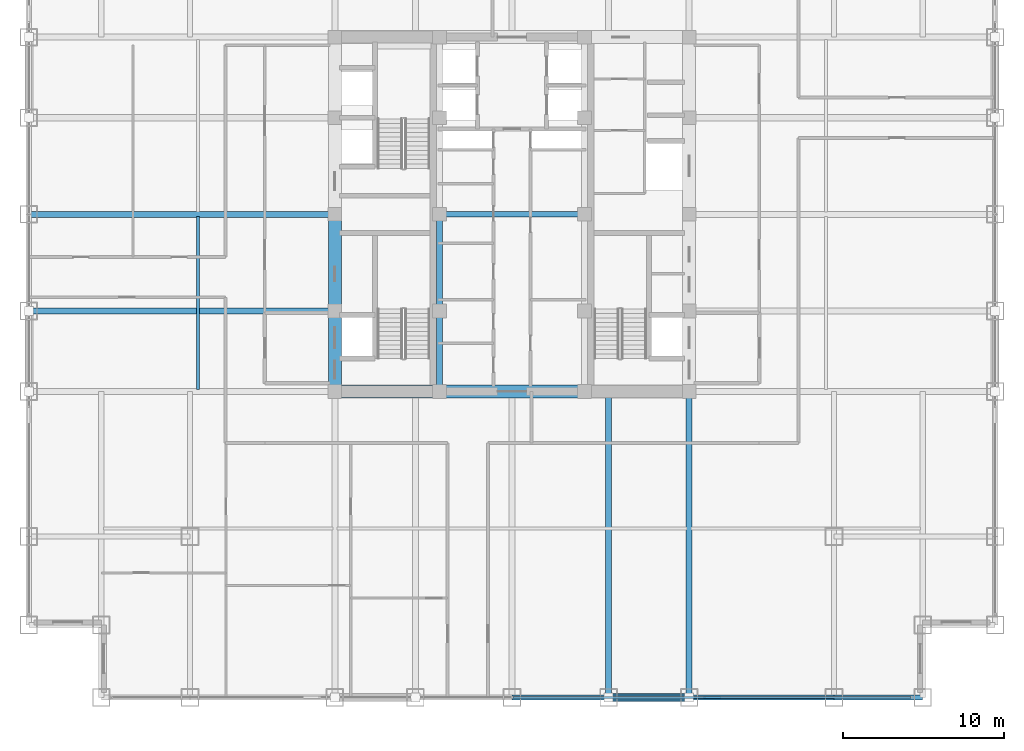
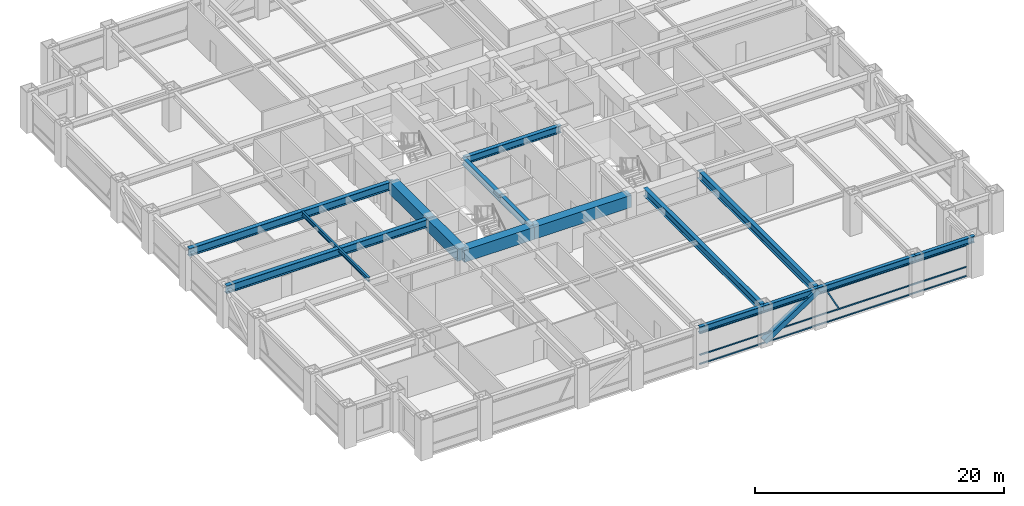
# One storey, part 7 of 24: 16 beams, 5 members, 1 element without a shape of its own.
"""IFC4 building model written with IfcOpenShell, lengths in metres."""

import ifcopenshell
import ifcopenshell.guid

model = None  # the IFC model being written
_history = None  # IfcOwnerHistory: only IFC2X3 demands one
_inside = {}  # id of a spatial element -> (the spatial element, [elements in it])
_under = {}  # id of a project, library or spatial element -> (it, [spatial elements below it])
_declared = {}  # id of a project -> (the project, [libraries it declares])
_typed = {}  # id of a type object -> (the type object, [elements of that type])
_made_of = {}  # id of a material, layer set ... -> (it, [elements and type objects made of it])


def new_model(schema):
    """Start an empty IFC model of exactly this schema.

    Asked for "IFC4X3", IfcOpenShell would pick the latest addendum, in which some entities
    have other attributes; the version numbers below select the first issue.
    IFC2X3 requires an IfcOwnerHistory on every rooted entity: one is made here for all.
    """
    global model, _history
    if schema == "IFC4X3":
        model = ifcopenshell.file(schema_version=(4, 3, 0, 0))
    else:
        model = ifcopenshell.file(schema=schema)
    _inside.clear()
    _under.clear()
    _declared.clear()
    _typed.clear()
    _made_of.clear()
    _history = None
    if model.schema == "IFC2X3":
        org = make("IfcOrganization", Name="unknown")
        user = make(
            "IfcPersonAndOrganization",
            ThePerson=make("IfcPerson", FamilyName="unknown"),
            TheOrganization=org,
        )
        app = make(
            "IfcApplication",
            ApplicationDeveloper=org,
            Version="unknown",
            ApplicationFullName="unknown",
            ApplicationIdentifier="unknown",
        )
        _history = make(
            "IfcOwnerHistory",
            OwningUser=user,
            OwningApplication=app,
            ChangeAction="ADDED",
            CreationDate=0,
        )
    return model


def make(cls, **values):
    """One entity of the class cls with the attributes given. An attribute that is None is left unset."""
    return model.create_entity(
        cls, **{name: value for name, value in values.items() if value is not None}
    )


def rooted(cls, **values):
    """An entity with a GlobalId (a new one), such as an element, a storey or a relation."""
    return make(cls, GlobalId=ifcopenshell.guid.new(), OwnerHistory=_history, **values)


def si_unit(unit_type, name, prefix=None):
    """IfcSIUnit, for example si_unit("LENGTHUNIT", "METRE", prefix="MILLI")."""
    return make("IfcSIUnit", UnitType=unit_type, Prefix=prefix, Name=name)


def assignment(units):
    """IfcUnitAssignment: the units of a project."""
    return None if units is None else make("IfcUnitAssignment", Units=units)


def point(xyz):
    """IfcCartesianPoint."""
    return None if xyz is None else make("IfcCartesianPoint", Coordinates=xyz)


def direction(xyz):
    """IfcDirection."""
    return None if xyz is None else make("IfcDirection", DirectionRatios=xyz)


def frame(location, z_axis=None, x_axis=None):
    """IfcAxis2Placement3D, a coordinate frame: its origin and axes. An axis left out is left unset."""
    return make(
        "IfcAxis2Placement3D",
        Location=point(location),
        Axis=direction(z_axis),
        RefDirection=direction(x_axis),
    )


def frame_2d(location, x_axis=None):
    """IfcAxis2Placement2D, a coordinate frame in the plane: its origin and x axis."""
    return make(
        "IfcAxis2Placement2D", Location=point(location), RefDirection=direction(x_axis)
    )


def origin():
    """The frame at (0, 0, 0) with its axes left unset."""
    return frame((0.0, 0.0, 0.0))


def origin_2d():
    """The frame at (0, 0) in the plane with its x axis left unset."""
    return frame_2d((0.0, 0.0))


def place(relative_to, where):
    """IfcLocalPlacement: puts the frame where relative to a parent placement (None: the world)."""
    return make(
        "IfcLocalPlacement", PlacementRelTo=relative_to, RelativePlacement=where
    )


def context(
    kind, dimensions, precision=None, world=None, true_north=None, identifier=None
):
    """IfcGeometricRepresentationContext, for example the 3D "Model" context."""
    return make(
        "IfcGeometricRepresentationContext",
        ContextIdentifier=identifier,
        ContextType=kind,
        CoordinateSpaceDimension=dimensions,
        Precision=precision,
        WorldCoordinateSystem=world,
        TrueNorth=true_north,
    )


def subcontext(parent, identifier, kind, view, scale=None):
    """IfcGeometricRepresentationSubContext, for example "Body" below "Model"."""
    return make(
        "IfcGeometricRepresentationSubContext",
        ContextIdentifier=identifier,
        ContextType=kind,
        ParentContext=parent,
        TargetScale=scale,
        TargetView=view,
    )


def project(units=None, contexts=None):
    """IfcProject with its units and contexts."""
    return rooted(
        "IfcProject",
        Name="project",
        RepresentationContexts=contexts,
        UnitsInContext=assignment(units),
    )


def spatial(cls, under=None, at=None, **own):
    """A site, building, storey or space (cls), placed at a placement, below another one or the project."""
    s = rooted(cls, ObjectPlacement=at, **own)
    if under is not None:
        _under.setdefault(under.id(), (under, []))[1].append(s)
    return s


def profile(cls, at=None, kind="AREA", **sizes):
    """A parametric profile (cls). Its sizes go by their IFC names, for example OverallWidth=200.0."""
    return make(cls, ProfileType=kind, Position=at, **sizes)


def rectangle(**sizes):
    """IfcRectangleProfileDef."""
    return profile("IfcRectangleProfileDef", **sizes)


def hollow_rectangle(**sizes):
    """IfcRectangleHollowProfileDef."""
    return profile("IfcRectangleHollowProfileDef", **sizes)


def i_section(**sizes):
    """IfcIShapeProfileDef."""
    return profile("IfcIShapeProfileDef", **sizes)


def extrude(swept, where, along, depth):
    """IfcExtrudedAreaSolid: the profile swept, set in the frame where, extruded along a direction by depth."""
    return make(
        "IfcExtrudedAreaSolid",
        SweptArea=swept,
        Position=where,
        ExtrudedDirection=direction(along),
        Depth=depth,
    )


def shape(context_of_items, identifier, shape_type, items):
    """IfcShapeRepresentation: the items that make up one representation, for example the "Body"."""
    return make(
        "IfcShapeRepresentation",
        ContextOfItems=context_of_items,
        RepresentationIdentifier=identifier,
        RepresentationType=shape_type,
        Items=items,
    )


def source(mapping_origin, context_of_items, identifier, shape_type, items):
    """IfcRepresentationMap: a shape defined once, which mapped items show again and again."""
    return make(
        "IfcRepresentationMap",
        MappingOrigin=mapping_origin,
        MappedRepresentation=shape(context_of_items, identifier, shape_type, items),
    )


def transform(
    local_origin,
    x_axis=None,
    y_axis=None,
    z_axis=None,
    scale=None,
    scale2=None,
    scale3=None,
    uniform=True,
):
    """IfcCartesianTransformationOperator3D, or its non-uniform kind. x_axis, y_axis, z_axis: its Axis1, 2, 3."""
    if uniform:
        return make(
            "IfcCartesianTransformationOperator3D",
            Axis1=direction(x_axis),
            Axis2=direction(y_axis),
            LocalOrigin=point(local_origin),
            Scale=scale,
            Axis3=direction(z_axis),
        )
    return make(
        "IfcCartesianTransformationOperator3DnonUniform",
        Axis1=direction(x_axis),
        Axis2=direction(y_axis),
        LocalOrigin=point(local_origin),
        Scale=scale,
        Axis3=direction(z_axis),
        Scale2=scale2,
        Scale3=scale3,
    )


def mapped(mapping_source, mapping_target):
    """IfcMappedItem: shows the shape of a source again, moved by a transform."""
    return make(
        "IfcMappedItem", MappingSource=mapping_source, MappingTarget=mapping_target
    )


def material(Name=None, Category=None):
    """IfcMaterial."""
    return make("IfcMaterial", Name=Name, Category=Category)


def material_profile(
    of_material, cross_section, Name=None, Category=None, Priority=None
):
    """IfcMaterialProfile: a cross section and its material."""
    return make(
        "IfcMaterialProfile",
        Name=Name,
        Material=of_material,
        Profile=cross_section,
        Priority=Priority,
        Category=Category,
    )


def profile_set(profiles, Name=None, composite=None):
    """IfcMaterialProfileSet."""
    return make(
        "IfcMaterialProfileSet",
        Name=Name,
        MaterialProfiles=profiles,
        CompositeProfile=composite,
    )


def made_of(thing, what):
    """Note that an element or type object is made of a material, layer set ...; save() writes the relation."""
    if what is not None:
        _made_of.setdefault(what.id(), (what, []))[1].append(thing)
    return thing


def type_object(cls, material=None, **own):
    """A type object (cls), such as IfcWallType, which elements share."""
    return made_of(rooted(cls, **own), material)


def element(
    cls,
    number,
    at=None,
    inside=None,
    cuts=None,
    type_object=None,
    material=None,
    context=None,
    identifier="Body",
    shape_type=None,
    held_by="IfcProductDefinitionShape",
    body=None,
    shapes=None,
    **own,
):
    """One element of the class cls, such as IfcWall. Its Tag is "e" and its number.

    at: its placement. inside: the storey or other place that contains it. cuts: it is an
    opening in that element (IfcRelVoidsElement). A single representation is given by context,
    identifier, shape_type and body (its items); several are given by shapes. held_by: the class
    of the entity that holds the representations. save() writes the other relations.
    """
    e = rooted(cls, Tag="e%d" % number, ObjectPlacement=at, **own)
    if body is not None:
        shapes = [shape(context, identifier, shape_type, body)]
    if shapes is not None:
        e.Representation = make(held_by, Representations=shapes)
    if inside is not None:
        _inside.setdefault(inside.id(), (inside, []))[1].append(e)
    if cuts is not None:
        rooted(
            "IfcRelVoidsElement", RelatingBuildingElement=cuts, RelatedOpeningElement=e
        )
    if type_object is not None:
        _typed.setdefault(type_object.id(), (type_object, []))[1].append(e)
    return made_of(e, material)


def aggregate(whole, parts):
    """IfcRelAggregates: a whole, such as a stair, and the parts it consists of."""
    return rooted("IfcRelAggregates", RelatingObject=whole, RelatedObjects=parts)


def save(model, path):
    """Write the relations noted so far, then the file.

    IfcRelAggregates (storeys below a building ...), IfcRelContainedInSpatialStructure (elements
    in a storey), IfcRelDefinesByType, IfcRelAssociatesMaterial and IfcRelDeclares: one each for
    every whole, place, type object, material and project.
    """
    for whole, parts in _under.values():
        aggregate(whole, parts)
    for where, things in _inside.values():
        rooted(
            "IfcRelContainedInSpatialStructure",
            RelatedElements=things,
            RelatingStructure=where,
        )
    for kind, things in _typed.values():
        rooted("IfcRelDefinesByType", RelatedObjects=things, RelatingType=kind)
    for what, things in _made_of.values():
        rooted("IfcRelAssociatesMaterial", RelatedObjects=things, RelatingMaterial=what)
    for by, libraries in _declared.values():
        rooted("IfcRelDeclares", RelatingContext=by, RelatedDefinitions=libraries)
    model.write(path)


model = new_model("IFC4")

# Units and contexts
model_context = context("Model", 3, precision=1e-05, world=origin(), true_north=direction((0.0, 1.0)))
body_context = subcontext(model_context, "Body", "Model", "MODEL_VIEW")
ifc_project = project(units=[si_unit("LENGTHUNIT", "METRE"), si_unit("AREAUNIT", "SQUARE_METRE"), si_unit("VOLUMEUNIT", "CUBIC_METRE"), si_unit("PLANEANGLEUNIT", "RADIAN"), si_unit("MASSUNIT", "GRAM", prefix="KILO")], contexts=[model_context])

# Site, building, storey
site_placement = place(None, origin())
site = spatial("IfcSite", under=ifc_project, at=site_placement, CompositionType="ELEMENT")
building_placement = place(site_placement, origin())
building = spatial("IfcBuilding", under=site, at=building_placement, Name="Khorayat Bourse Tower", CompositionType="ELEMENT")
storey_placement = place(building_placement, frame((0.0, 0.0, 175.10009765625)))
storey = spatial("IfcBuildingStorey", under=building, at=storey_placement, Name="L40", CompositionType="ELEMENT", Elevation=175.10009765625)

# Beams
ifc_material_1 = material(Name="Concrete C72/90", Category="concrete")
ifc_material_profile_1 = material_profile(ifc_material_1, rectangle(XDim=0.800048828125, YDim=1.199951171875, at=origin_2d()), Name="RC 800x1200")
ifc_profile_set_1 = profile_set([ifc_material_profile_1], Name="Concrete C72/90")
beam_type_1 = type_object("IfcBeamType", Name="BM-COUP-1200", PredefinedType="BEAM", material=ifc_profile_set_1)
shared_shape_1 = source(origin(), body_context, "Body", "SweptSolid", [
    extrude(rectangle(XDim=0.800048828125, YDim=1.199951171875, at=origin_2d()), origin(), (0.0, 0.0, 1.0), 5.0),
])
beam_1_placement = place(storey_placement, frame((-11.0, -11.0, 3.179931640625), z_axis=(0.0, 1.0, 0.0), x_axis=(-1.0, 0.0, 0.0)))
element("IfcBeam", 1, at=beam_1_placement, inside=storey, type_object=beam_type_1, Name="L40 BM-COUP-1200 BM-L40-CRX-01", PredefinedType="BEAM", context=body_context, shape_type="MappedRepresentation", body=[
    mapped(shared_shape_1, transform((0.0, 0.0, 0.0), scale=1.0)),
])
shared_shape_2 = source(origin(), body_context, "Body", "SweptSolid", [
    extrude(rectangle(XDim=0.800048828125, YDim=1.199951171875, at=origin_2d()), origin(), (0.0, 0.0, 1.0), 6.0),
])
beam_2_placement = place(storey_placement, frame((-11.0, -6.0, 3.179931640625), z_axis=(0.0, 1.0, 0.0), x_axis=(-1.0, 0.0, 0.0)))
element("IfcBeam", 2, at=beam_2_placement, inside=storey, type_object=beam_type_1, Name="L40 BM-COUP-1200 BM-L40-CRX-02", PredefinedType="BEAM", context=body_context, shape_type="MappedRepresentation", body=[
    mapped(shared_shape_2, transform((0.0, 0.0, 0.0), scale=1.0)),
])
ifc_material_2 = material(Name="Steel ASTM A992 Grade 50", Category="steel")
ifc_material_profile_2 = material_profile(ifc_material_2, i_section(OverallWidth=0.35498046875, OverallDepth=0.695068359375, WebThickness=0.015380859375, FlangeThickness=0.02490234375, FilletRadius=0.01806640625, at=origin_2d()), Name="W690X217")
ifc_profile_set_2 = profile_set([ifc_material_profile_2], Name="Steel ASTM A992 Grade 50")
beam_type_2 = type_object("IfcBeamType", Name="BM-GIRD-690", PredefinedType="BEAM", material=ifc_profile_set_2)
shared_shape_3 = source(origin(), body_context, "Body", "SweptSolid", [
    extrude(i_section(OverallWidth=0.35498046875, OverallDepth=0.695068359375, WebThickness=0.015380859375, FlangeThickness=0.02490234375, FilletRadius=0.01806640625, at=origin_2d()), origin(), (0.0, 0.0, 1.0), 5.0),
])
beam_3_placement = place(storey_placement, frame((-4.5, -11.0, 3.432373046875), z_axis=(0.0, 1.0, 0.0), x_axis=(-1.0, 0.0, 0.0)))
element("IfcBeam", 3, at=beam_3_placement, inside=storey, type_object=beam_type_2, Name="L40 BM-GIRD-690 BM-L40-CRX-05", PredefinedType="BEAM", context=body_context, shape_type="MappedRepresentation", body=[
    mapped(shared_shape_3, transform((0.0, 0.0, 0.0), scale=1.0)),
])
shared_shape_4 = source(origin(), body_context, "Body", "SweptSolid", [
    extrude(i_section(OverallWidth=0.35498046875, OverallDepth=0.695068359375, WebThickness=0.015380859375, FlangeThickness=0.02490234375, FilletRadius=0.01806640625, at=origin_2d()), origin(), (0.0, 0.0, 1.0), 6.0),
])
beam_4_placement = place(storey_placement, frame((-4.5, -6.0, 3.432373046875), z_axis=(0.0, 1.0, 0.0), x_axis=(-1.0, 0.0, 0.0)))
element("IfcBeam", 4, at=beam_4_placement, inside=storey, type_object=beam_type_2, Name="L40 BM-GIRD-690 BM-L40-CRX-06", PredefinedType="BEAM", context=body_context, shape_type="MappedRepresentation", body=[
    mapped(shared_shape_4, transform((0.0, 0.0, 0.0), scale=1.0)),
])
shared_shape_5 = source(origin(), body_context, "Body", "SweptSolid", [
    extrude(rectangle(XDim=0.800048828125, YDim=1.199951171875, at=origin_2d()), origin(), (0.0, 0.0, 1.0), 6.5),
])
beam_5_placement = place(storey_placement, frame((-11.0, -11.0, 3.179931640625), z_axis=(1.0, 0.0, 0.0), x_axis=(0.0, 1.0, 0.0)))
element("IfcBeam", 5, at=beam_5_placement, inside=storey, type_object=beam_type_1, Name="L40 BM-COUP-1200 BM-L40-CRY-17", PredefinedType="BEAM", context=body_context, shape_type="MappedRepresentation", body=[
    mapped(shared_shape_5, transform((0.0, 0.0, 0.0), scale=1.0)),
])
shared_shape_6 = source(origin(), body_context, "Body", "SweptSolid", [
    extrude(rectangle(XDim=0.800048828125, YDim=1.199951171875, at=origin_2d()), origin(), (0.0, 0.0, 1.0), 9.0),
])
beam_6_placement = place(storey_placement, frame((-4.5, -11.0, 3.179931640625), z_axis=(1.0, 0.0, 0.0), x_axis=(0.0, 1.0, 0.0)))
element("IfcBeam", 6, at=beam_6_placement, inside=storey, type_object=beam_type_1, Name="L40 BM-COUP-1200 BM-L40-CRY-18", PredefinedType="BEAM", context=body_context, shape_type="MappedRepresentation", body=[
    mapped(shared_shape_6, transform((0.0, 0.0, 0.0), scale=1.0)),
])
shared_shape_7 = source(origin(), body_context, "Body", "SweptSolid", [
    extrude(i_section(OverallWidth=0.35498046875, OverallDepth=0.695068359375, WebThickness=0.015380859375, FlangeThickness=0.02490234375, FilletRadius=0.01806640625, at=origin_2d()), origin(), (0.0, 0.0, 1.0), 9.0),
])
beam_7_placement = place(storey_placement, frame((-4.5, 0.0, 3.432373046875), z_axis=(1.0, 0.0, 0.0), x_axis=(0.0, 1.0, 0.0)))
element("IfcBeam", 7, at=beam_7_placement, inside=storey, type_object=beam_type_2, Name="L40 BM-GIRD-690 BM-L40-CRY-23", PredefinedType="BEAM", context=body_context, shape_type="MappedRepresentation", body=[
    mapped(shared_shape_7, transform((0.0, 0.0, 0.0), scale=1.0)),
])
ifc_material_profile_3 = material_profile(ifc_material_2, i_section(OverallWidth=0.381103515625, OverallDepth=0.77294921875, WebThickness=0.0166015625, FlangeThickness=0.027587890625, FilletRadius=0.01806640625, at=origin_2d()), Name="W760X257")
ifc_profile_set_3 = profile_set([ifc_material_profile_3], Name="Steel ASTM A992 Grade 50")
beam_type_3 = type_object("IfcBeamType", Name="BM-GIRD-760", PredefinedType="BEAM", material=ifc_profile_set_3)
shared_shape_8 = source(origin(), body_context, "Body", "SweptSolid", [
    extrude(i_section(OverallWidth=0.381103515625, OverallDepth=0.77294921875, WebThickness=0.0166015625, FlangeThickness=0.027587890625, FilletRadius=0.01806640625, at=origin_2d()), origin(), (0.0, 0.0, 1.0), 19.0),
])
for number, where, z_axis, x_axis, name in (
    (8, (6.0, -30.0, 3.393310546875), (0.0, 1.0, 0.0), (-1.0, 0.0, 0.0), "L40 BM-GIRD-760 BM-L40-RADY-071"),
    (9, (11.0, -30.0, 3.393310546875), (0.0, 1.0, 0.0), (-1.0, 0.0, 0.0), "L40 BM-GIRD-760 BM-L40-RADY-073"),
    (10, (-30.0, -6.0, 3.393310546875), (1.0, 0.0, 0.0), (0.0, 1.0, 0.0), "L40 BM-GIRD-760 BM-L40-RADX-077"),
    (11, (-30.0, 0.0, 3.393310546875), (1.0, 0.0, 0.0), (0.0, 1.0, 0.0), "L40 BM-GIRD-760 BM-L40-RADX-079"),
):
    element("IfcBeam", number, at=place(storey_placement, frame(where, z_axis=z_axis, x_axis=x_axis)), inside=storey, type_object=beam_type_3, Name=name, PredefinedType="BEAM", context=body_context, shape_type="MappedRepresentation", body=[
        mapped(shared_shape_8, transform((0.0, 0.0, 0.0), scale=1.0)),
    ])
ifc_material_profile_4 = material_profile(ifc_material_2, i_section(OverallWidth=0.180908203125, OverallDepth=0.4169921875, WebThickness=0.010986328125, FlangeThickness=0.018310546875, FilletRadius=0.011962890625, at=origin_2d()), Name="W410X85")
ifc_profile_set_4 = profile_set([ifc_material_profile_4], Name="Steel ASTM A992 Grade 50")
beam_type_4 = type_object("IfcBeamType", Name="BM-JOIST-410", PredefinedType="JOIST", material=ifc_profile_set_4)
shared_shape_9 = source(origin(), body_context, "Body", "SweptSolid", [
    extrude(i_section(OverallWidth=0.180908203125, OverallDepth=0.4169921875, WebThickness=0.010986328125, FlangeThickness=0.018310546875, FilletRadius=0.011962890625, at=origin_2d()), origin(), (0.0, 0.0, 1.0), 10.740234375),
])
beam_8_placement = place(storey_placement, frame((-19.5, -10.8701171875, 3.5712890625), z_axis=(0.0, 1.0, 0.0), x_axis=(-1.0, 0.0, 0.0)))
element("IfcBeam", 12, at=beam_8_placement, inside=storey, type_object=beam_type_4, Name="L40 BM-JOIST-410 BM-L40-JSTY-102", PredefinedType="JOIST", context=body_context, shape_type="MappedRepresentation", body=[
    mapped(shared_shape_9, transform((0.0, 0.0, 0.0), scale=1.0)),
])
ifc_material_profile_5 = material_profile(ifc_material_2, i_section(OverallWidth=0.324951171875, OverallDepth=0.615966796875, WebThickness=0.013916015625, FlangeThickness=0.021484375, FilletRadius=0.01611328125, at=origin_2d()), Name="W610X174")
ifc_profile_set_5 = profile_set([ifc_material_profile_5], Name="Steel ASTM A992 Grade 50")
beam_type_5 = type_object("IfcBeamType", Name="BM-SPAN-610", PredefinedType="SPANDREL", material=ifc_profile_set_5)
shared_shape_10 = source(origin(), body_context, "Body", "SweptSolid", [
    extrude(i_section(OverallWidth=0.324951171875, OverallDepth=0.615966796875, WebThickness=0.013916015625, FlangeThickness=0.021484375, FilletRadius=0.01611328125, at=origin_2d()), origin(), (0.0, 0.0, 1.0), 5.5),
])
beam_9_placement = place(storey_placement, frame((20.0, -30.0, 3.471923828125), z_axis=(1.0, 0.0, 0.0), x_axis=(0.0, 1.0, 0.0)))
element("IfcBeam", 13, at=beam_9_placement, inside=storey, type_object=beam_type_5, Name="L40 BM-SPAN-610 BM-L40-SPN-031", PredefinedType="SPANDREL", context=body_context, shape_type="MappedRepresentation", body=[
    mapped(shared_shape_10, transform((0.0, 0.0, 0.0), scale=1.0)),
])
shared_shape_11 = source(origin(), body_context, "Body", "SweptSolid", [
    extrude(i_section(OverallWidth=0.324951171875, OverallDepth=0.615966796875, WebThickness=0.013916015625, FlangeThickness=0.021484375, FilletRadius=0.01611328125, at=origin_2d()), origin(), (0.0, 0.0, 1.0), 9.0),
])
beam_10_placement = place(storey_placement, frame((11.0, -30.0, 3.471923828125), z_axis=(1.0, 0.0, 0.0), x_axis=(0.0, 1.0, 0.0)))
element("IfcBeam", 14, at=beam_10_placement, inside=storey, type_object=beam_type_5, Name="L40 BM-SPAN-610 BM-L40-SPN-030", PredefinedType="SPANDREL", context=body_context, shape_type="MappedRepresentation", body=[
    mapped(shared_shape_11, transform((0.0, 0.0, 0.0), scale=1.0)),
])
shared_shape_12 = source(origin(), body_context, "Body", "SweptSolid", [
    extrude(i_section(OverallWidth=0.324951171875, OverallDepth=0.615966796875, WebThickness=0.013916015625, FlangeThickness=0.021484375, FilletRadius=0.01611328125, at=origin_2d()), origin(), (0.0, 0.0, 1.0), 5.0),
])
beam_11_placement = place(storey_placement, frame((6.0, -30.0, 3.471923828125), z_axis=(1.0, 0.0, 0.0), x_axis=(0.0, 1.0, 0.0)))
element("IfcBeam", 15, at=beam_11_placement, inside=storey, type_object=beam_type_5, Name="L40 BM-SPAN-610 BM-L40-SPN-029", PredefinedType="SPANDREL", context=body_context, shape_type="MappedRepresentation", body=[
    mapped(shared_shape_12, transform((0.0, 0.0, 0.0), scale=1.0)),
])
shared_shape_13 = source(origin(), body_context, "Body", "SweptSolid", [
    extrude(i_section(OverallWidth=0.324951171875, OverallDepth=0.615966796875, WebThickness=0.013916015625, FlangeThickness=0.021484375, FilletRadius=0.01611328125, at=origin_2d()), origin(), (0.0, 0.0, 1.0), 6.0),
])
beam_12_placement = place(storey_placement, frame((0.0, -30.0, 3.471923828125), z_axis=(1.0, 0.0, 0.0), x_axis=(0.0, 1.0, 0.0)))
element("IfcBeam", 16, at=beam_12_placement, inside=storey, type_object=beam_type_5, Name="L40 BM-SPAN-610 BM-L40-SPN-028", PredefinedType="SPANDREL", context=body_context, shape_type="MappedRepresentation", body=[
    mapped(shared_shape_13, transform((0.0, 0.0, 0.0), scale=1.0)),
])

# Member
ifc_material_3 = material(Name="Steel EN 10025-4 S460M", Category="steel")
ifc_material_profile_6 = material_profile(ifc_material_3, hollow_rectangle(XDim=0.5, YDim=0.5, WallThickness=0.028076171875, at=origin_2d()), Name="HSS 500x500x28")
ifc_profile_set_6 = profile_set([ifc_material_profile_6], Name="Steel EN 10025-4 S460M")
member_type_1 = type_object("IfcMemberType", Name="MBR-TUBE-500", PredefinedType="BRACE", material=ifc_profile_set_6)
shared_shape_14 = source(origin(), body_context, "Body", "SweptSolid", [
    extrude(hollow_rectangle(XDim=0.5, YDim=0.5, WallThickness=0.028076171875, at=origin_2d()), origin(), (0.0, 0.0, 1.0), 5.979736328125),
])
member_1_placement = place(storey_placement, frame((6.0, -30.0, 0.25), z_axis=(0.836160261256, 0.0, 0.548485202623), x_axis=(0.0, 1.0, 0.0)))
element("IfcMember", 17, at=member_1_placement, inside=storey, type_object=member_type_1, Name="L40 Perimeter Tube Brace 02", PredefinedType="BRACE", context=body_context, shape_type="MappedRepresentation", body=[
    mapped(shared_shape_14, transform((0.0, 0.0, 0.0), scale=1.0)),
])

# Curtain wall, members
ifc_material_4 = material(Name="Aluminium EN AW-6063 T6", Category="aluminium")
curtain_wall_type = type_object("IfcCurtainWallType", Name="CW-SYS-03", PredefinedType="NOTDEFINED", material=ifc_material_4)
curtain_wall_placement = place(storey_placement, origin())
curtain_wall = element("IfcCurtainWall", 18, at=curtain_wall_placement, inside=storey, type_object=curtain_wall_type, Name="L40 Curtain Wall CW-L40-S1", PredefinedType="NOTDEFINED")
ifc_material_profile_7 = material_profile(ifc_material_4, hollow_rectangle(XDim=0.1201171875, YDim=0.1201171875, WallThickness=0.0048828125, at=origin_2d()), Name="ALU 120x120x5")
ifc_profile_set_7 = profile_set([ifc_material_profile_7], Name="Aluminium EN AW-6063 T6")
member_type_2 = type_object("IfcMemberType", Name="CWM-DIAG-120", PredefinedType="MULLION", material=ifc_profile_set_7)
shared_shape_15 = source(origin(), body_context, "Body", "SweptSolid", [
    extrude(hollow_rectangle(XDim=0.1201171875, YDim=0.1201171875, WallThickness=0.0048828125, at=origin_2d()), origin(), (0.0, 0.0, 1.0), 2.079345703125),
])
member_2_placement = place(storey_placement, frame((12.904296875, -30.0, 1.08984375), z_axis=(-0.465760949701, 0.0, 0.884910581773), x_axis=(0.0, -1.0, 0.0)))
member_2 = element("IfcMember", 19, at=member_2_placement, type_object=member_type_2, Name="CW-L40-S1 Faceted Diagonal Mullion 2", PredefinedType="MULLION", context=body_context, shape_type="MappedRepresentation", body=[
    mapped(shared_shape_15, transform((0.0, 0.0, 0.0), scale=1.0)),
])
ifc_material_profile_8 = material_profile(ifc_material_4, hollow_rectangle(XDim=0.1201171875, YDim=0.1201171875, WallThickness=0.0048828125, at=origin_2d()), Name="ALU 120x120x5")
ifc_profile_set_8 = profile_set([ifc_material_profile_8], Name="Aluminium EN AW-6063 T6")
member_type_3 = type_object("IfcMemberType", Name="CWT-HORZ-120", PredefinedType="USERDEFINED", material=ifc_profile_set_8)
shared_shape_16 = source(origin(), body_context, "Body", "SweptSolid", [
    extrude(hollow_rectangle(XDim=0.1201171875, YDim=0.1201171875, WallThickness=0.0048828125, at=origin_2d()), origin(), (0.0, 0.0, 1.0), 24.719970703125),
])
member_3_placement = place(storey_placement, frame((0.06005859375, -30.0, 0.059814453125), z_axis=(1.0, 0.0, 0.0), x_axis=(0.0, 1.0, 0.0)))
member_3 = element("IfcMember", 20, at=member_3_placement, type_object=member_type_3, Name="CW-L40-S1 Horizontal Transom 2-1", ObjectType="TRANSOM", PredefinedType="USERDEFINED", context=body_context, shape_type="MappedRepresentation", body=[
    mapped(shared_shape_16, transform((0.0, 0.0, 0.0), scale=1.0)),
])
member_4_placement = place(storey_placement, frame((0.06005859375, -30.0, 0.949951171875), z_axis=(1.0, 0.0, 0.0), x_axis=(0.0, 1.0, 0.0)))
member_4 = element("IfcMember", 21, at=member_4_placement, type_object=member_type_3, Name="CW-L40-S1 Horizontal Transom 2-2", ObjectType="TRANSOM", PredefinedType="USERDEFINED", context=body_context, shape_type="MappedRepresentation", body=[
    mapped(shared_shape_16, transform((0.0, 0.0, 0.0), scale=1.0)),
])
member_5_placement = place(storey_placement, frame((0.06005859375, -30.0, 3.06982421875), z_axis=(1.0, 0.0, 0.0), x_axis=(0.0, 1.0, 0.0)))
member_5 = element("IfcMember", 22, at=member_5_placement, type_object=member_type_3, Name="CW-L40-S1 Horizontal Transom 2-3", ObjectType="TRANSOM", PredefinedType="USERDEFINED", context=body_context, shape_type="MappedRepresentation", body=[
    mapped(shared_shape_16, transform((0.0, 0.0, 0.0), scale=1.0)),
])
aggregate(curtain_wall, [member_3, member_4, member_5, member_2])

save(model, "model.ifc")
